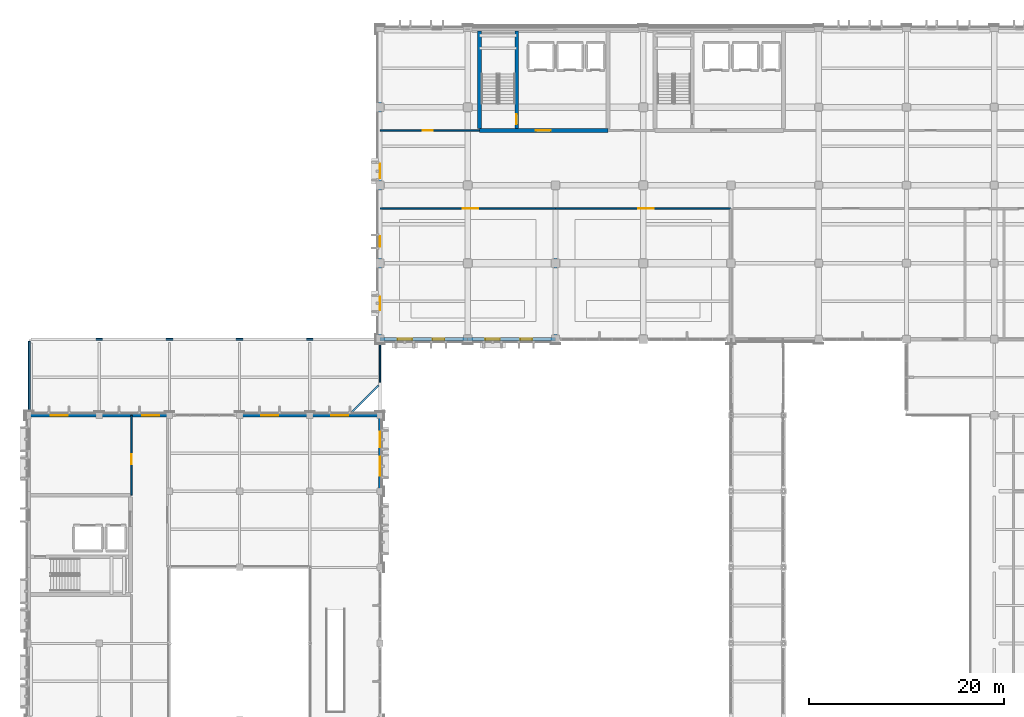
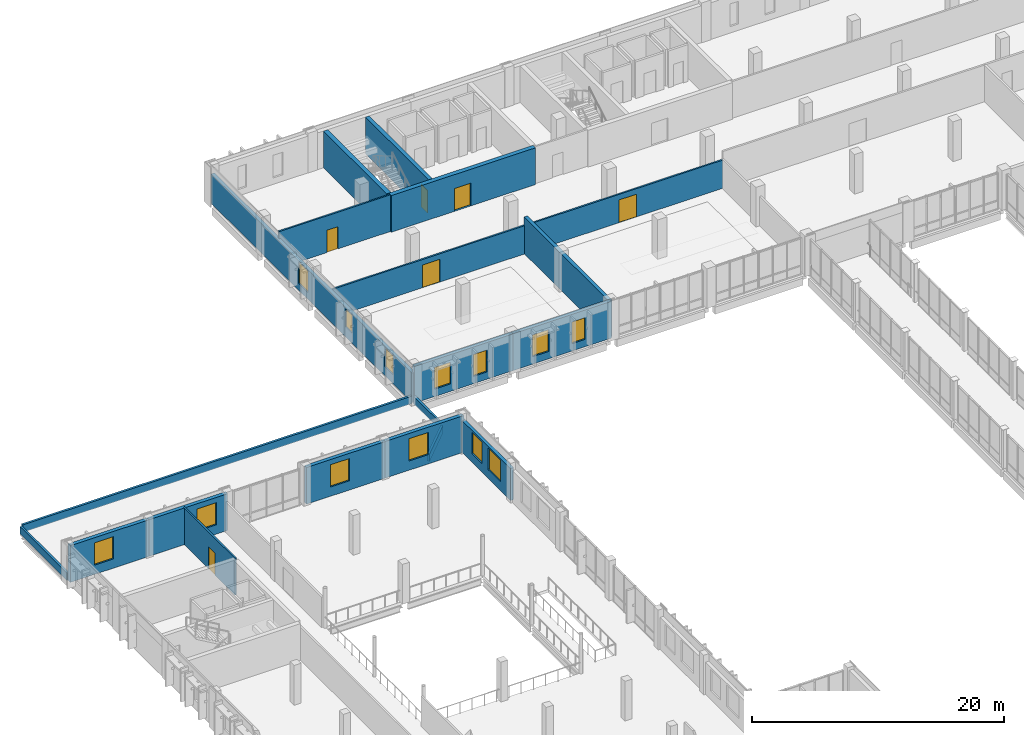
# One storey, part 59 of 85: 20 walls, 13 windows, 6 doors, 19 openings.
"""IFC4 building model written with IfcOpenShell, lengths in metres."""

from ifc_helpers import new_model, si_unit, direction, frame, frame_2d, origin, place, context, subcontext, project, spatial, rectangle, extrude, material, layer, layer_set, type_object, element, fill, save


model = new_model("IFC4")

# Units and contexts
model_context = context("Model", 3, precision=1e-05, world=origin(), true_north=direction((0.0, 1.0)))
body_context = subcontext(model_context, "Body", "Model", "MODEL_VIEW")
ifc_project = project(units=[si_unit("LENGTHUNIT", "METRE"), si_unit("AREAUNIT", "SQUARE_METRE"), si_unit("VOLUMEUNIT", "CUBIC_METRE"), si_unit("PLANEANGLEUNIT", "RADIAN"), si_unit("MASSUNIT", "GRAM", prefix="KILO")], contexts=[model_context])

# Site, building, storey
site_placement = place(None, origin())
site = spatial("IfcSite", under=ifc_project, at=site_placement, CompositionType="ELEMENT")
building_placement = place(site_placement, origin())
building = spatial("IfcBuilding", under=site, at=building_placement, Name="Vervanel Yard Central Library", CompositionType="ELEMENT")
storey_placement = place(building_placement, frame((0.0, 0.0, 5.10009765625)))
storey = spatial("IfcBuildingStorey", under=building, at=storey_placement, Name="L01", CompositionType="ELEMENT", Elevation=5.10009765625)

# Wall, openings, windows
ifc_material_1 = material(Name="Precast concrete C45/55", Category="concrete")
ifc_layer_1 = layer(ifc_material_1, 0.300048828125, Category="concrete")
ifc_layer_set_1 = layer_set([ifc_layer_1], Name="Precast concrete C45/55")
wall_type_1 = type_object("IfcWallType", Name="Bush-Hammered Precast Cladding Wall 300", PredefinedType="SOLIDWALL", material=ifc_layer_set_1)
wall_1_placement = place(storey_placement, frame((36.0, 82.199951171875, 0.0), z_axis=(0.0, 0.0, 1.0), x_axis=(0.0, 1.0, 0.0)))
wall_1 = element("IfcWall", 1, at=wall_1_placement, inside=storey, type_object=wall_type_1, Name="L01 Bush-Hammered Precast Cladding Wall 300 EWALL-L01-0030", PredefinedType="SOLIDWALL", context=body_context, shape_type="SweptSolid", body=[
    extrude(rectangle(XDim=31.800048828125, YDim=0.300048828125, at=frame_2d((15.89990234375, 0.0))), origin(), (0.0, 0.0, 1.0), 2.85498046875),
])
opening_1_placement = place(wall_1_placement, frame((3.0, 0.0, 0.885009765625)))
opening_1 = element("IfcOpeningElement", 2, at=opening_1_placement, cuts=wall_1, Name="Opening WN-17", PredefinedType="OPENING", context=body_context, shape_type="SweptSolid", body=[
    extrude(rectangle(XDim=1.35009765625, YDim=1.85009765625, at=frame_2d((0.675048828125, 0.925048828125))), frame((0.0, 0.159912109375, 0.0), z_axis=(0.0, -1.0, 0.0), x_axis=(1.0, 0.0, 0.0)), (0.0, 0.0, 1.0), 0.320068359375),
])
opening_2_placement = place(wall_1_placement, frame((9.5, 0.0, 0.949951171875)))
opening_2 = element("IfcOpeningElement", 3, at=opening_2_placement, cuts=wall_1, Name="Opening WN-16", PredefinedType="OPENING", context=body_context, shape_type="SweptSolid", body=[
    extrude(rectangle(XDim=1.050048828125, YDim=1.75, at=frame_2d((0.52490234375, 0.875))), frame((0.0, 0.159912109375, 0.0), z_axis=(0.0, -1.0, 0.0), x_axis=(1.0, 0.0, 0.0)), (0.0, 0.0, 1.0), 0.320068359375),
])
opening_3_placement = place(wall_1_placement, frame((16.5, 0.0, 0.635009765625)))
opening_3 = element("IfcOpeningElement", 4, at=opening_3_placement, cuts=wall_1, Name="Opening WN-02", PredefinedType="OPENING", context=body_context, shape_type="SweptSolid", body=[
    extrude(rectangle(XDim=1.5, YDim=2.10009765625, at=frame_2d((0.75, 1.050048828125))), frame((0.0, 0.159912109375, 0.0), z_axis=(0.0, -1.0, 0.0), x_axis=(1.0, 0.0, 0.0)), (0.0, 0.0, 1.0), 0.320068359375),
])
ifc_material_2 = material(Name="Double low-E laminated solar-control glass", Category="glass")
window_type_1 = type_object("IfcWindowType", Name="Archive Office Window 1350x1850", PartitioningType="SINGLE_PANEL", PredefinedType="WINDOW", material=ifc_material_2)
window_1_placement = place(opening_1_placement, origin())
window_1 = element("IfcWindow", 5, at=window_1_placement, inside=storey, type_object=window_type_1, Name="L01 Archive Office Window 1350x1850 40", OverallHeight=1.85009765625, OverallWidth=1.35009765625, PartitioningType="SINGLE_PANEL", PredefinedType="WINDOW", context=body_context, shape_type="SweptSolid", body=[
    extrude(rectangle(XDim=1.35009765625, YDim=1.85009765625, at=frame_2d((0.675048828125, 0.925048828125))), frame((0.0, 0.030029296875, 0.0), z_axis=(0.0, -1.0, 0.0), x_axis=(1.0, 0.0, 0.0)), (0.0, 0.0, 1.0), 0.06005859375),
])
fill(opening_1, window_1)
window_type_2 = type_object("IfcWindowType", Name="Reading Bay Window 1500x2100", PartitioningType="SINGLE_PANEL", PredefinedType="WINDOW", material=ifc_material_2)
window_2_placement = place(opening_3_placement, origin())
window_2 = element("IfcWindow", 6, at=window_2_placement, inside=storey, type_object=window_type_2, Name="L01 Reading Bay Window 1500x2100 42", OverallHeight=2.10009765625, OverallWidth=1.5, PartitioningType="SINGLE_PANEL", PredefinedType="WINDOW", context=body_context, shape_type="SweptSolid", body=[
    extrude(rectangle(XDim=1.5, YDim=2.10009765625, at=frame_2d((0.75, 1.050048828125))), frame((0.0, 0.030029296875, 0.0), z_axis=(0.0, -1.0, 0.0), x_axis=(1.0, 0.0, 0.0)), (0.0, 0.0, 1.0), 0.06005859375),
])
fill(opening_3, window_2)
window_type_3 = type_object("IfcWindowType", Name="Study Carrel Punch Window 1050x1750", PartitioningType="SINGLE_PANEL", PredefinedType="WINDOW", material=ifc_material_2)
window_3_placement = place(opening_2_placement, origin())
window_3 = element("IfcWindow", 7, at=window_3_placement, inside=storey, type_object=window_type_3, Name="L01 Study Carrel Punch Window 1050x1750 41", OverallHeight=1.75, OverallWidth=1.050048828125, PartitioningType="SINGLE_PANEL", PredefinedType="WINDOW", context=body_context, shape_type="SweptSolid", body=[
    extrude(rectangle(XDim=1.050048828125, YDim=1.75, at=frame_2d((0.52490234375, 0.875))), frame((0.0, 0.030029296875, 0.0), z_axis=(0.0, -1.0, 0.0), x_axis=(1.0, 0.0, 0.0)), (0.0, 0.0, 1.0), 0.06005859375),
])
fill(opening_2, window_3)

wall_2_placement = place(storey_placement, frame((36.0, 66.60009765625, 0.0), z_axis=(0.0, 0.0, 1.0), x_axis=(0.0, 1.0, 0.0)))
wall_2 = element("IfcWall", 8, at=wall_2_placement, inside=storey, type_object=wall_type_1, Name="L01 Bush-Hammered Precast Cladding Wall 300 EWALL-L01-0107", PredefinedType="SOLIDWALL", context=body_context, shape_type="SweptSolid", body=[
    extrude(rectangle(XDim=7.7998046875, YDim=0.300048828125, at=frame_2d((3.89990234375, 0.0))), origin(), (0.0, 0.0, 1.0), 3.08740234375),
])
opening_4_placement = place(wall_2_placement, frame((1.60009765625, 0.0, 0.85009765625)))
opening_4 = element("IfcOpeningElement", 9, at=opening_4_placement, cuts=wall_2, Name="Opening WN-24", PredefinedType="OPENING", context=body_context, shape_type="SweptSolid", body=[
    extrude(rectangle(XDim=1.949951171875, YDim=2.10009765625, at=frame_2d((0.97509765625, 1.050048828125))), frame((0.0, 0.159912109375, 0.0), z_axis=(0.0, -1.0, 0.0), x_axis=(1.0, 0.0, 0.0)), (0.0, 0.0, 1.0), 0.320068359375),
])
opening_5_placement = place(wall_2_placement, frame((4.5, 0.0, 0.85009765625)))
opening_5 = element("IfcOpeningElement", 10, at=opening_5_placement, cuts=wall_2, Name="Opening WN-20", PredefinedType="OPENING", context=body_context, shape_type="SweptSolid", body=[
    extrude(rectangle(XDim=1.60009765625, YDim=2.050048828125, at=frame_2d((0.800048828125, 1.02490234375))), frame((0.0, 0.159912109375, 0.0), z_axis=(0.0, -1.0, 0.0), x_axis=(1.0, 0.0, 0.0)), (0.0, 0.0, 1.0), 0.320068359375),
])
window_type_4 = type_object("IfcWindowType", Name="Atrium Study Window 1950x2100", PartitioningType="SINGLE_PANEL", PredefinedType="WINDOW", material=ifc_material_2)
window_4_placement = place(opening_4_placement, origin())
window_4 = element("IfcWindow", 11, at=window_4_placement, inside=storey, type_object=window_type_4, Name="L01 Atrium Study Window 1950x2100 141", OverallHeight=2.10009765625, OverallWidth=1.949951171875, PartitioningType="SINGLE_PANEL", PredefinedType="WINDOW", context=body_context, shape_type="SweptSolid", body=[
    extrude(rectangle(XDim=1.949951171875, YDim=2.10009765625, at=frame_2d((0.97509765625, 1.050048828125))), frame((0.0, 0.030029296875, 0.0), z_axis=(0.0, -1.0, 0.0), x_axis=(1.0, 0.0, 0.0)), (0.0, 0.0, 1.0), 0.06005859375),
])
fill(opening_4, window_4)
window_type_5 = type_object("IfcWindowType", Name="Reading Courtyard Window 1600x2050", PartitioningType="SINGLE_PANEL", PredefinedType="WINDOW", material=ifc_material_2)
window_5_placement = place(opening_5_placement, origin())
window_5 = element("IfcWindow", 12, at=window_5_placement, inside=storey, type_object=window_type_5, Name="L01 Reading Courtyard Window 1600x2050 142", OverallHeight=2.050048828125, OverallWidth=1.60009765625, PartitioningType="SINGLE_PANEL", PredefinedType="WINDOW", context=body_context, shape_type="SweptSolid", body=[
    extrude(rectangle(XDim=1.60009765625, YDim=2.050048828125, at=frame_2d((0.800048828125, 1.02490234375))), frame((0.0, 0.030029296875, 0.0), z_axis=(0.0, -1.0, 0.0), x_axis=(1.0, 0.0, 0.0)), (0.0, 0.0, 1.0), 0.06005859375),
])
fill(opening_5, window_5)

# Wall, opening, door
ifc_material_3 = material(Name="Concrete C45/55", Category="concrete")
ifc_layer_2 = layer(ifc_material_3, 0.39990234375, Category="concrete")
ifc_layer_set_2 = layer_set([ifc_layer_2], Name="Concrete C45/55")
wall_type_2 = type_object("IfcWallType", Name="Core Primary Shear Wall 400", PredefinedType="SHEAR", material=ifc_layer_set_2)
wall_3_placement = place(storey_placement, frame((46.199951171875, 103.60009765625, 0.0), z_axis=(0.0, 0.0, 1.0), x_axis=(1.0, 0.0, 0.0)))
wall_3 = element("IfcWall", 13, at=wall_3_placement, inside=storey, type_object=wall_type_2, Name="L01 CORE-A Shear Wall S", PredefinedType="SHEAR", context=body_context, shape_type="SweptSolid", body=[
    extrude(rectangle(XDim=13.199951171875, YDim=0.39990234375, at=frame_2d((6.60009765625, 0.0))), origin(), (0.0, 0.0, 1.0), 3.5498046875),
])
opening_6_placement = place(wall_3_placement, frame((5.800048828125, 0.0, 0.0)))
opening_6 = element("IfcOpeningElement", 14, at=opening_6_placement, cuts=wall_3, Name="Opening DR-F02", PredefinedType="OPENING", context=body_context, shape_type="SweptSolid", body=[
    extrude(rectangle(XDim=1.5, YDim=2.199951171875, at=frame_2d((0.75, 1.10009765625))), frame((0.0, 0.2099609375, 0.0), z_axis=(0.0, -1.0, 0.0), x_axis=(1.0, 0.0, 0.0)), (0.0, 0.0, 1.0), 0.419921875),
])
ifc_material_4 = material(Name="Galvanized painted steelwork ASTM A500 Grade C", Category="steel")
door_type_1 = type_object("IfcDoorType", Name="Fire-Rated Lobby Door 1500x2200", OperationType="NOTDEFINED", PredefinedType="DOOR", material=ifc_material_4)
door_1_placement = place(opening_6_placement, origin())
door_1 = element("IfcDoor", 15, at=door_1_placement, inside=storey, type_object=door_type_1, Name="L01 CORE-A Lobby Fire Door", OperationType="DOUBLE_DOOR_SINGLE_SWING", OverallHeight=2.199951171875, OverallWidth=1.5, PredefinedType="DOOR", context=body_context, shape_type="SweptSolid", body=[
    extrude(rectangle(XDim=1.5, YDim=2.199951171875, at=frame_2d((0.75, 1.10009765625))), frame((0.0, 0.02490234375, 0.0), z_axis=(0.0, -1.0, 0.0), x_axis=(1.0, 0.0, 0.0)), (0.0, 0.0, 1.0), 0.050048828125),
])
fill(opening_6, door_1)

# Wall
wall_4_placement = place(storey_placement, frame((46.199951171875, 103.800048828125, 0.0), z_axis=(0.0, 0.0, 1.0), x_axis=(0.0, 1.0, 0.0)))
element("IfcWall", 16, at=wall_4_placement, inside=storey, type_object=wall_type_2, Name="L01 CORE-A Shear Wall W", PredefinedType="SHEAR", context=body_context, shape_type="SweptSolid", body=[
    extrude(rectangle(XDim=10.010009765625, YDim=0.39990234375, at=frame_2d((5.0048828125, 0.0))), origin(), (0.0, 0.0, 1.0), 3.5498046875),
])

# Wall, opening, door
ifc_layer_3 = layer(ifc_material_3, 0.35009765625, Category="concrete")
ifc_layer_set_3 = layer_set([ifc_layer_3], Name="Concrete C45/55")
wall_type_3 = type_object("IfcWallType", Name="Core Secondary Shear Wall 350", PredefinedType="SHEAR", material=ifc_layer_set_3)
wall_5_placement = place(storey_placement, frame((50.02490234375, 103.800048828125, 0.0), z_axis=(0.0, 0.0, 1.0), x_axis=(0.0, 1.0, 0.0)))
wall_5 = element("IfcWall", 17, at=wall_5_placement, inside=storey, type_object=wall_type_3, Name="L01 CORE-A Stair Shaft Wall", PredefinedType="SHEAR", context=body_context, shape_type="SweptSolid", body=[
    extrude(rectangle(XDim=10.010009765625, YDim=0.35009765625, at=frame_2d((5.0048828125, 0.0))), origin(), (0.0, 0.0, 1.0), 3.5498046875),
])
opening_7_placement = place(wall_5_placement, frame((0.449951171875, 0.0, 0.0)))
opening_7 = element("IfcOpeningElement", 18, at=opening_7_placement, cuts=wall_5, Name="Opening DR-F01", PredefinedType="OPENING", context=body_context, shape_type="SweptSolid", body=[
    extrude(rectangle(XDim=1.050048828125, YDim=2.199951171875, at=frame_2d((0.52490234375, 1.10009765625))), frame((0.0, 0.18505859375, 0.0), z_axis=(0.0, -1.0, 0.0), x_axis=(1.0, 0.0, 0.0)), (0.0, 0.0, 1.0), 0.3701171875),
])
door_type_2 = type_object("IfcDoorType", Name="Fire-Rated Stair Exit Door 1050x2200", OperationType="NOTDEFINED", PredefinedType="DOOR", material=ifc_material_4)
door_2_placement = place(opening_7_placement, origin())
door_2 = element("IfcDoor", 19, at=door_2_placement, inside=storey, type_object=door_type_2, Name="L01 CORE-A Stair Door", OperationType="SINGLE_SWING_RIGHT", OverallHeight=2.199951171875, OverallWidth=1.050048828125, PredefinedType="DOOR", context=body_context, shape_type="SweptSolid", body=[
    extrude(rectangle(XDim=1.050048828125, YDim=2.199951171875, at=frame_2d((0.52490234375, 1.10009765625))), frame((0.0, 0.02490234375, 0.0), z_axis=(0.0, -1.0, 0.0), x_axis=(1.0, 0.0, 0.0)), (0.0, 0.0, 1.0), 0.050048828125),
])
fill(opening_7, door_2)

# Wall, openings, windows
ifc_layer_4 = layer(ifc_material_3, 0.340087890625, Category="concrete")
ifc_layer_set_4 = layer_set([ifc_layer_4], Name="Concrete C45/55")
wall_type_4 = type_object("IfcWallType", Name="Exterior Bearing Concrete Frame Wall 340", PredefinedType="SOLIDWALL", material=ifc_layer_set_4)
wall_6_placement = place(storey_placement, frame((36.0, 82.199951171875, 0.0), z_axis=(0.0, 0.0, 1.0), x_axis=(1.0, 0.0, 0.0)))
wall_6 = element("IfcWall", 20, at=wall_6_placement, inside=storey, type_object=wall_type_4, Name="L01 Exterior Bearing Concrete Frame Wall 340 EWALL-L01-0027", PredefinedType="SOLIDWALL", context=body_context, shape_type="SweptSolid", body=[
    extrude(rectangle(XDim=9.0, YDim=0.340087890625, at=frame_2d((4.5, 0.0))), origin(), (0.0, 0.0, 1.0), 3.5498046875),
])
opening_8_placement = place(wall_6_placement, frame((1.800048828125, 0.0, 0.715087890625)))
opening_8 = element("IfcOpeningElement", 21, at=opening_8_placement, cuts=wall_6, Name="Opening WN-02", PredefinedType="OPENING", context=body_context, shape_type="SweptSolid", body=[
    extrude(rectangle(XDim=1.5, YDim=2.10009765625, at=frame_2d((0.75, 1.050048828125))), frame((0.0, 0.179931640625, 0.0), z_axis=(0.0, -1.0, 0.0), x_axis=(1.0, 0.0, 0.0)), (0.0, 0.0, 1.0), 0.360107421875),
])
opening_9_placement = place(wall_6_placement, frame((5.39990234375, 0.0, 0.715087890625)))
opening_9 = element("IfcOpeningElement", 22, at=opening_9_placement, cuts=wall_6, Name="Opening WN-01", PredefinedType="OPENING", context=body_context, shape_type="SweptSolid", body=[
    extrude(rectangle(XDim=1.199951171875, YDim=2.10009765625, at=frame_2d((0.60009765625, 1.050048828125))), frame((0.0, 0.179931640625, 0.0), z_axis=(0.0, -1.0, 0.0), x_axis=(1.0, 0.0, 0.0)), (0.0, 0.0, 1.0), 0.360107421875),
])
window_6_placement = place(opening_8_placement, origin())
window_6 = element("IfcWindow", 23, at=window_6_placement, inside=storey, type_object=window_type_2, Name="L01 Reading Bay Window 1500x2100 36", OverallHeight=2.10009765625, OverallWidth=1.5, PartitioningType="SINGLE_PANEL", PredefinedType="WINDOW", context=body_context, shape_type="SweptSolid", body=[
    extrude(rectangle(XDim=1.5, YDim=2.10009765625, at=frame_2d((0.75, 1.050048828125))), frame((0.0, 0.030029296875, 0.0), z_axis=(0.0, -1.0, 0.0), x_axis=(1.0, 0.0, 0.0)), (0.0, 0.0, 1.0), 0.06005859375),
])
fill(opening_8, window_6)
window_type_6 = type_object("IfcWindowType", Name="Reading Slot Window 1200x2100", PartitioningType="SINGLE_PANEL", PredefinedType="WINDOW", material=ifc_material_2)
window_7_placement = place(opening_9_placement, origin())
window_7 = element("IfcWindow", 24, at=window_7_placement, inside=storey, type_object=window_type_6, Name="L01 Reading Slot Window 1200x2100 37", OverallHeight=2.10009765625, OverallWidth=1.199951171875, PartitioningType="SINGLE_PANEL", PredefinedType="WINDOW", context=body_context, shape_type="SweptSolid", body=[
    extrude(rectangle(XDim=1.199951171875, YDim=2.10009765625, at=frame_2d((0.60009765625, 1.050048828125))), frame((0.0, 0.030029296875, 0.0), z_axis=(0.0, -1.0, 0.0), x_axis=(1.0, 0.0, 0.0)), (0.0, 0.0, 1.0), 0.06005859375),
])
fill(opening_9, window_7)

wall_7_placement = place(storey_placement, frame((45.0, 82.199951171875, 0.0), z_axis=(0.0, 0.0, 1.0), x_axis=(1.0, 0.0, 0.0)))
wall_7 = element("IfcWall", 25, at=wall_7_placement, inside=storey, type_object=wall_type_4, Name="L01 Exterior Bearing Concrete Frame Wall 340 EWALL-L01-0028", PredefinedType="SOLIDWALL", context=body_context, shape_type="SweptSolid", body=[
    extrude(rectangle(XDim=9.0, YDim=0.340087890625, at=frame_2d((4.5, 0.0))), origin(), (0.0, 0.0, 1.0), 3.5498046875),
])
opening_10_placement = place(wall_7_placement, frame((1.800048828125, 0.0, 0.715087890625)))
opening_10 = element("IfcOpeningElement", 26, at=opening_10_placement, cuts=wall_7, Name="Opening WN-02", PredefinedType="OPENING", context=body_context, shape_type="SweptSolid", body=[
    extrude(rectangle(XDim=1.5, YDim=2.10009765625, at=frame_2d((0.75, 1.050048828125))), frame((0.0, 0.179931640625, 0.0), z_axis=(0.0, -1.0, 0.0), x_axis=(1.0, 0.0, 0.0)), (0.0, 0.0, 1.0), 0.360107421875),
])
opening_11_placement = place(wall_7_placement, frame((5.39990234375, 0.0, 0.715087890625)))
opening_11 = element("IfcOpeningElement", 27, at=opening_11_placement, cuts=wall_7, Name="Opening WN-01", PredefinedType="OPENING", context=body_context, shape_type="SweptSolid", body=[
    extrude(rectangle(XDim=1.199951171875, YDim=2.10009765625, at=frame_2d((0.60009765625, 1.050048828125))), frame((0.0, 0.179931640625, 0.0), z_axis=(0.0, -1.0, 0.0), x_axis=(1.0, 0.0, 0.0)), (0.0, 0.0, 1.0), 0.360107421875),
])
window_8_placement = place(opening_10_placement, origin())
window_8 = element("IfcWindow", 28, at=window_8_placement, inside=storey, type_object=window_type_2, Name="L01 Reading Bay Window 1500x2100 38", OverallHeight=2.10009765625, OverallWidth=1.5, PartitioningType="SINGLE_PANEL", PredefinedType="WINDOW", context=body_context, shape_type="SweptSolid", body=[
    extrude(rectangle(XDim=1.5, YDim=2.10009765625, at=frame_2d((0.75, 1.050048828125))), frame((0.0, 0.030029296875, 0.0), z_axis=(0.0, -1.0, 0.0), x_axis=(1.0, 0.0, 0.0)), (0.0, 0.0, 1.0), 0.06005859375),
])
fill(opening_10, window_8)
window_9_placement = place(opening_11_placement, origin())
window_9 = element("IfcWindow", 29, at=window_9_placement, inside=storey, type_object=window_type_6, Name="L01 Reading Slot Window 1200x2100 39", OverallHeight=2.10009765625, OverallWidth=1.199951171875, PartitioningType="SINGLE_PANEL", PredefinedType="WINDOW", context=body_context, shape_type="SweptSolid", body=[
    extrude(rectangle(XDim=1.199951171875, YDim=2.10009765625, at=frame_2d((0.60009765625, 1.050048828125))), frame((0.0, 0.030029296875, 0.0), z_axis=(0.0, -1.0, 0.0), x_axis=(1.0, 0.0, 0.0)), (0.0, 0.0, 1.0), 0.06005859375),
])
fill(opening_11, window_9)

# Wall, opening, window
wall_8_placement = place(storey_placement, frame((0.0, 74.39990234375, 0.0), z_axis=(0.0, 0.0, 1.0), x_axis=(1.0, 0.0, 0.0)))
wall_8 = element("IfcWall", 30, at=wall_8_placement, inside=storey, type_object=wall_type_4, Name="L01 Exterior Bearing Concrete Frame Wall 340 EWALL-L01-0108", PredefinedType="SOLIDWALL", context=body_context, shape_type="SweptSolid", body=[
    extrude(rectangle(XDim=7.199951171875, YDim=0.340087890625, at=frame_2d((3.60009765625, 0.0))), origin(), (0.0, 0.0, 1.0), 3.5498046875),
])
opening_12_placement = place(wall_8_placement, frame((2.199951171875, 0.0, 0.89794921875)))
opening_12 = element("IfcOpeningElement", 31, at=opening_12_placement, cuts=wall_8, Name="Opening WN-23", PredefinedType="OPENING", context=body_context, shape_type="SweptSolid", body=[
    extrude(rectangle(XDim=1.75, YDim=2.14990234375, at=frame_2d((0.875, 1.074951171875))), frame((0.0, 0.179931640625, 0.0), z_axis=(0.0, -1.0, 0.0), x_axis=(1.0, 0.0, 0.0)), (0.0, 0.0, 1.0), 0.360107421875),
])
window_type_7 = type_object("IfcWindowType", Name="Atrium Northlight Window 1750x2150", PartitioningType="SINGLE_PANEL", PredefinedType="WINDOW", material=ifc_material_2)
window_10_placement = place(opening_12_placement, origin())
window_10 = element("IfcWindow", 32, at=window_10_placement, inside=storey, type_object=window_type_7, Name="L01 Atrium Northlight Window 1750x2150 143", OverallHeight=2.14990234375, OverallWidth=1.75, PartitioningType="SINGLE_PANEL", PredefinedType="WINDOW", context=body_context, shape_type="SweptSolid", body=[
    extrude(rectangle(XDim=1.75, YDim=2.14990234375, at=frame_2d((0.875, 1.074951171875))), frame((0.0, 0.030029296875, 0.0), z_axis=(0.0, -1.0, 0.0), x_axis=(1.0, 0.0, 0.0)), (0.0, 0.0, 1.0), 0.06005859375),
])
fill(opening_12, window_10)

wall_9_placement = place(storey_placement, frame((7.199951171875, 74.39990234375, 0.0), z_axis=(0.0, 0.0, 1.0), x_axis=(1.0, 0.0, 0.0)))
wall_9 = element("IfcWall", 33, at=wall_9_placement, inside=storey, type_object=wall_type_4, Name="L01 Exterior Bearing Concrete Frame Wall 340 EWALL-L01-0109", PredefinedType="SOLIDWALL", context=body_context, shape_type="SweptSolid", body=[
    extrude(rectangle(XDim=7.199951171875, YDim=0.340087890625, at=frame_2d((3.60009765625, 0.0))), origin(), (0.0, 0.0, 1.0), 3.5498046875),
])
opening_13_placement = place(wall_9_placement, frame((4.39990234375, 0.0, 0.89794921875)))
opening_13 = element("IfcOpeningElement", 34, at=opening_13_placement, cuts=wall_9, Name="Opening WN-23", PredefinedType="OPENING", context=body_context, shape_type="SweptSolid", body=[
    extrude(rectangle(XDim=1.75, YDim=2.14990234375, at=frame_2d((0.875, 1.074951171875))), frame((0.0, 0.179931640625, 0.0), z_axis=(0.0, -1.0, 0.0), x_axis=(1.0, 0.0, 0.0)), (0.0, 0.0, 1.0), 0.360107421875),
])
window_11_placement = place(opening_13_placement, origin())
window_11 = element("IfcWindow", 35, at=window_11_placement, inside=storey, type_object=window_type_7, Name="L01 Atrium Northlight Window 1750x2150 144", OverallHeight=2.14990234375, OverallWidth=1.75, PartitioningType="SINGLE_PANEL", PredefinedType="WINDOW", context=body_context, shape_type="SweptSolid", body=[
    extrude(rectangle(XDim=1.75, YDim=2.14990234375, at=frame_2d((0.875, 1.074951171875))), frame((0.0, 0.030029296875, 0.0), z_axis=(0.0, -1.0, 0.0), x_axis=(1.0, 0.0, 0.0)), (0.0, 0.0, 1.0), 0.06005859375),
])
fill(opening_13, window_11)

wall_10_placement = place(storey_placement, frame((21.60009765625, 74.39990234375, 0.0), z_axis=(0.0, 0.0, 1.0), x_axis=(1.0, 0.0, 0.0)))
wall_10 = element("IfcWall", 36, at=wall_10_placement, inside=storey, type_object=wall_type_4, Name="L01 Exterior Bearing Concrete Frame Wall 340 EWALL-L01-0110", PredefinedType="SOLIDWALL", context=body_context, shape_type="SweptSolid", body=[
    extrude(rectangle(XDim=7.199951171875, YDim=0.340087890625, at=frame_2d((3.60009765625, 0.0))), origin(), (0.0, 0.0, 1.0), 3.5498046875),
])
opening_14_placement = place(wall_10_placement, frame((2.199951171875, 0.0, 0.89794921875)))
opening_14 = element("IfcOpeningElement", 37, at=opening_14_placement, cuts=wall_10, Name="Opening WN-23", PredefinedType="OPENING", context=body_context, shape_type="SweptSolid", body=[
    extrude(rectangle(XDim=1.75, YDim=2.14990234375, at=frame_2d((0.875, 1.074951171875))), frame((0.0, 0.179931640625, 0.0), z_axis=(0.0, -1.0, 0.0), x_axis=(1.0, 0.0, 0.0)), (0.0, 0.0, 1.0), 0.360107421875),
])
window_12_placement = place(opening_14_placement, origin())
window_12 = element("IfcWindow", 38, at=window_12_placement, inside=storey, type_object=window_type_7, Name="L01 Atrium Northlight Window 1750x2150 145", OverallHeight=2.14990234375, OverallWidth=1.75, PartitioningType="SINGLE_PANEL", PredefinedType="WINDOW", context=body_context, shape_type="SweptSolid", body=[
    extrude(rectangle(XDim=1.75, YDim=2.14990234375, at=frame_2d((0.875, 1.074951171875))), frame((0.0, 0.030029296875, 0.0), z_axis=(0.0, -1.0, 0.0), x_axis=(1.0, 0.0, 0.0)), (0.0, 0.0, 1.0), 0.06005859375),
])
fill(opening_14, window_12)

wall_11_placement = place(storey_placement, frame((28.800048828125, 74.39990234375, 0.0), z_axis=(0.0, 0.0, 1.0), x_axis=(1.0, 0.0, 0.0)))
wall_11 = element("IfcWall", 39, at=wall_11_placement, inside=storey, type_object=wall_type_4, Name="L01 Exterior Bearing Concrete Frame Wall 340 EWALL-L01-0111", PredefinedType="SOLIDWALL", context=body_context, shape_type="SweptSolid", body=[
    extrude(rectangle(XDim=7.199951171875, YDim=0.340087890625, at=frame_2d((3.60009765625, 0.0))), origin(), (0.0, 0.0, 1.0), 3.5498046875),
])
opening_15_placement = place(wall_11_placement, frame((2.199951171875, 0.0, 0.89794921875)))
opening_15 = element("IfcOpeningElement", 40, at=opening_15_placement, cuts=wall_11, Name="Opening WN-23", PredefinedType="OPENING", context=body_context, shape_type="SweptSolid", body=[
    extrude(rectangle(XDim=1.75, YDim=2.14990234375, at=frame_2d((0.875, 1.074951171875))), frame((0.0, 0.179931640625, 0.0), z_axis=(0.0, -1.0, 0.0), x_axis=(1.0, 0.0, 0.0)), (0.0, 0.0, 1.0), 0.360107421875),
])
window_13_placement = place(opening_15_placement, origin())
window_13 = element("IfcWindow", 41, at=window_13_placement, inside=storey, type_object=window_type_7, Name="L01 Atrium Northlight Window 1750x2150 146", OverallHeight=2.14990234375, OverallWidth=1.75, PartitioningType="SINGLE_PANEL", PredefinedType="WINDOW", context=body_context, shape_type="SweptSolid", body=[
    extrude(rectangle(XDim=1.75, YDim=2.14990234375, at=frame_2d((0.875, 1.074951171875))), frame((0.0, 0.030029296875, 0.0), z_axis=(0.0, -1.0, 0.0), x_axis=(1.0, 0.0, 0.0)), (0.0, 0.0, 1.0), 0.06005859375),
])
fill(opening_15, window_13)

# Wall, opening, door
ifc_material_5 = material(Name="Fire-rated gypsum board on steel studs", Category="steel")
ifc_layer_5 = layer(ifc_material_5, 0.14990234375, Category="steel")
ifc_layer_set_5 = layer_set([ifc_layer_5], Name="Fire-rated gypsum board on steel studs")
wall_type_5 = type_object("IfcWallType", Name="Interior Partition 150", PredefinedType="PARTITIONING", material=ifc_layer_set_5)
wall_12_placement = place(storey_placement, frame((36.0, 95.60009765625, 0.0), z_axis=(0.0, 0.0, 1.0), x_axis=(1.0, 0.0, 0.0)))
wall_12 = element("IfcWall", 42, at=wall_12_placement, inside=storey, type_object=wall_type_5, Name="L01 Interior Partition 150 IPART-L01-0045", PredefinedType="PARTITIONING", context=body_context, shape_type="SweptSolid", body=[
    extrude(rectangle(XDim=18.0, YDim=0.14990234375, at=frame_2d((9.0, 0.0))), origin(), (0.0, 0.0, 1.0), 2.73486328125),
])
opening_16_placement = place(wall_12_placement, frame((8.5, 0.0, 0.0)))
opening_16 = element("IfcOpeningElement", 43, at=opening_16_placement, cuts=wall_12, Name="Opening DR-04", PredefinedType="OPENING", context=body_context, shape_type="SweptSolid", body=[
    extrude(rectangle(XDim=1.60009765625, YDim=2.199951171875, at=frame_2d((0.800048828125, 1.10009765625))), frame((0.0, 0.0849609375, 0.0), z_axis=(0.0, -1.0, 0.0), x_axis=(1.0, 0.0, 0.0)), (0.0, 0.0, 1.0), 0.169921875),
])
ifc_material_6 = material(Name="Solid white oak acoustic joinery", Category="wood")
door_type_3 = type_object("IfcDoorType", Name="Interior Double Reading Door 1600x2200", OperationType="NOTDEFINED", PredefinedType="DOOR", material=ifc_material_6)
door_3_placement = place(opening_16_placement, origin())
door_3 = element("IfcDoor", 44, at=door_3_placement, inside=storey, type_object=door_type_3, Name="L01 Interior Double Reading Door 1600x2200 IDOOR-L01-0036", OperationType="DOUBLE_DOOR_SINGLE_SWING", OverallHeight=2.199951171875, OverallWidth=1.60009765625, PredefinedType="DOOR", context=body_context, shape_type="SweptSolid", body=[
    extrude(rectangle(XDim=1.60009765625, YDim=2.199951171875, at=frame_2d((0.800048828125, 1.10009765625))), frame((0.0, 0.02490234375, 0.0), z_axis=(0.0, -1.0, 0.0), x_axis=(1.0, 0.0, 0.0)), (0.0, 0.0, 1.0), 0.050048828125),
])
fill(opening_16, door_3)

wall_13_placement = place(storey_placement, frame((54.0, 95.60009765625, 0.0), z_axis=(0.0, 0.0, 1.0), x_axis=(1.0, 0.0, 0.0)))
wall_13 = element("IfcWall", 45, at=wall_13_placement, inside=storey, type_object=wall_type_5, Name="L01 Interior Partition 150 IPART-L01-0046", PredefinedType="PARTITIONING", context=body_context, shape_type="SweptSolid", body=[
    extrude(rectangle(XDim=18.0, YDim=0.14990234375, at=frame_2d((9.0, 0.0))), origin(), (0.0, 0.0, 1.0), 2.73486328125),
])
opening_17_placement = place(wall_13_placement, frame((8.5, 0.0, 0.0)))
opening_17 = element("IfcOpeningElement", 46, at=opening_17_placement, cuts=wall_13, Name="Opening DR-04", PredefinedType="OPENING", context=body_context, shape_type="SweptSolid", body=[
    extrude(rectangle(XDim=1.60009765625, YDim=2.199951171875, at=frame_2d((0.800048828125, 1.10009765625))), frame((0.0, 0.0849609375, 0.0), z_axis=(0.0, -1.0, 0.0), x_axis=(1.0, 0.0, 0.0)), (0.0, 0.0, 1.0), 0.169921875),
])
door_4_placement = place(opening_17_placement, origin())
door_4 = element("IfcDoor", 47, at=door_4_placement, inside=storey, type_object=door_type_3, Name="L01 Interior Double Reading Door 1600x2200 IDOOR-L01-0037", OperationType="DOUBLE_DOOR_SINGLE_SWING", OverallHeight=2.199951171875, OverallWidth=1.60009765625, PredefinedType="DOOR", context=body_context, shape_type="SweptSolid", body=[
    extrude(rectangle(XDim=1.60009765625, YDim=2.199951171875, at=frame_2d((0.800048828125, 1.10009765625))), frame((0.0, 0.02490234375, 0.0), z_axis=(0.0, -1.0, 0.0), x_axis=(1.0, 0.0, 0.0)), (0.0, 0.0, 1.0), 0.050048828125),
])
fill(opening_17, door_4)

wall_14_placement = place(storey_placement, frame((36.0, 103.60009765625, 0.0), z_axis=(0.0, 0.0, 1.0), x_axis=(1.0, 0.0, 0.0)))
wall_14 = element("IfcWall", 48, at=wall_14_placement, inside=storey, type_object=wall_type_5, Name="L01 Interior Partition 150 IPART-L01-0056", PredefinedType="PARTITIONING", context=body_context, shape_type="SweptSolid", body=[
    extrude(rectangle(XDim=10.199951171875, YDim=0.14990234375, at=frame_2d((5.10009765625, 0.0))), origin(), (0.0, 0.0, 1.0), 3.5498046875),
])
opening_18_placement = place(wall_14_placement, frame((4.39990234375, 0.0, 0.0)))
opening_18 = element("IfcOpeningElement", 49, at=opening_18_placement, cuts=wall_14, Name="Opening DR-01", PredefinedType="OPENING", context=body_context, shape_type="SweptSolid", body=[
    extrude(rectangle(XDim=1.0, YDim=2.14990234375, at=frame_2d((0.5, 1.074951171875))), frame((0.0, 0.0849609375, 0.0), z_axis=(0.0, -1.0, 0.0), x_axis=(1.0, 0.0, 0.0)), (0.0, 0.0, 1.0), 0.169921875),
])
door_type_4 = type_object("IfcDoorType", Name="Interior Single Door 1000x2150", OperationType="NOTDEFINED", PredefinedType="DOOR", material=ifc_material_6)
door_5_placement = place(opening_18_placement, origin())
door_5 = element("IfcDoor", 50, at=door_5_placement, inside=storey, type_object=door_type_4, Name="L01 Interior Single Door 1000x2150 IDOOR-L01-0042", OperationType="SINGLE_SWING_RIGHT", OverallHeight=2.14990234375, OverallWidth=1.0, PredefinedType="DOOR", context=body_context, shape_type="SweptSolid", body=[
    extrude(rectangle(XDim=1.0, YDim=2.14990234375, at=frame_2d((0.5, 1.074951171875))), frame((0.0, 0.02490234375, 0.0), z_axis=(0.0, -1.0, 0.0), x_axis=(1.0, 0.0, 0.0)), (0.0, 0.0, 1.0), 0.050048828125),
])
fill(opening_18, door_5)

wall_15_placement = place(storey_placement, frame((10.5, 66.199951171875, 0.0), z_axis=(0.0, 0.0, 1.0), x_axis=(0.0, 1.0, 0.0)))
wall_15 = element("IfcWall", 51, at=wall_15_placement, inside=storey, type_object=wall_type_5, Name="L01 Interior Partition 150 IPART-L01-0062", PredefinedType="PARTITIONING", context=body_context, shape_type="SweptSolid", body=[
    extrude(rectangle(XDim=8.199951171875, YDim=0.14990234375, at=frame_2d((4.10009765625, 0.0))), origin(), (0.0, 0.0, 1.0), 3.5498046875),
])
opening_19_placement = place(wall_15_placement, frame((3.199951171875, 0.0, 0.0)))
opening_19 = element("IfcOpeningElement", 52, at=opening_19_placement, cuts=wall_15, Name="Opening DR-01", PredefinedType="OPENING", context=body_context, shape_type="SweptSolid", body=[
    extrude(rectangle(XDim=1.0, YDim=2.14990234375, at=frame_2d((0.5, 1.074951171875))), frame((0.0, 0.0849609375, 0.0), z_axis=(0.0, -1.0, 0.0), x_axis=(1.0, 0.0, 0.0)), (0.0, 0.0, 1.0), 0.169921875),
])
door_6_placement = place(opening_19_placement, origin())
door_6 = element("IfcDoor", 53, at=door_6_placement, inside=storey, type_object=door_type_4, Name="L01 Interior Single Door 1000x2150 IDOOR-L01-0048", OperationType="SINGLE_SWING_RIGHT", OverallHeight=2.14990234375, OverallWidth=1.0, PredefinedType="DOOR", context=body_context, shape_type="SweptSolid", body=[
    extrude(rectangle(XDim=1.0, YDim=2.14990234375, at=frame_2d((0.5, 1.074951171875))), frame((0.0, 0.02490234375, 0.0), z_axis=(0.0, -1.0, 0.0), x_axis=(1.0, 0.0, 0.0)), (0.0, 0.0, 1.0), 0.050048828125),
])
fill(opening_19, door_6)

# Walls
ifc_material_7 = material(Name="Concrete C40/50", Category="concrete")
ifc_layer_6 = layer(ifc_material_7, 0.199951171875, Category="concrete")
ifc_layer_set_6 = layer_set([ifc_layer_6], Name="Concrete C40/50")
wall_type_6 = type_object("IfcWallType", Name="Setback Roof Concrete Parapet 200", PredefinedType="PARAPET", material=ifc_layer_set_6)
wall_16_placement = place(storey_placement, frame((32.94140625, 74.54150390625, 0.0), z_axis=(0.0, 0.0, 1.0), x_axis=(0.707136370339, 0.707077190795, 0.0)))
element("IfcWall", 54, at=wall_16_placement, inside=storey, type_object=wall_type_6, Name="L01 Roof Parapet 3", PredefinedType="PARAPET", context=body_context, shape_type="SweptSolid", body=[
    extrude(rectangle(XDim=4.12548828125, YDim=0.199951171875, at=frame_2d((2.062744140625, 0.0))), origin(), (0.0, 0.0, 1.0), 0.719970703125),
])
wall_17_placement = place(storey_placement, frame((36.0, 77.800048828125, 0.0), z_axis=(0.0, 0.0, 1.0), x_axis=(0.0, 1.0, 0.0)))
element("IfcWall", 55, at=wall_17_placement, inside=storey, type_object=wall_type_6, Name="L01 Roof Parapet 4", PredefinedType="PARAPET", context=body_context, shape_type="SweptSolid", body=[
    extrude(rectangle(XDim=4.199951171875, YDim=0.199951171875, at=frame_2d((2.10009765625, 0.0))), origin(), (0.0, 0.0, 1.0), 0.719970703125),
])
wall_18_placement = place(storey_placement, frame((35.800048828125, 82.199951171875, 0.0), z_axis=(0.0, 0.0, 1.0), x_axis=(-1.0, 0.0, 0.0)))
element("IfcWall", 56, at=wall_18_placement, inside=storey, type_object=wall_type_6, Name="L01 Roof Parapet 5", PredefinedType="PARAPET", context=body_context, shape_type="SweptSolid", body=[
    extrude(rectangle(XDim=35.60009765625, YDim=0.199951171875, at=frame_2d((17.800048828125, 0.0))), origin(), (0.0, 0.0, 1.0), 0.719970703125),
])
wall_19_placement = place(storey_placement, frame((0.0, 82.0, 0.0), z_axis=(0.0, 0.0, 1.0), x_axis=(0.0, -1.0, 0.0)))
element("IfcWall", 57, at=wall_19_placement, inside=storey, type_object=wall_type_6, Name="L01 Roof Parapet 6", PredefinedType="PARAPET", context=body_context, shape_type="SweptSolid", body=[
    extrude(rectangle(XDim=7.39990234375, YDim=0.199951171875, at=frame_2d((3.699951171875, 0.0))), origin(), (0.0, 0.0, 1.0), 0.719970703125),
])
ifc_layer_7 = layer(ifc_material_3, 0.320068359375, Category="concrete")
ifc_layer_set_7 = layer_set([ifc_layer_7], Name="Concrete C45/55")
wall_type_7 = type_object("IfcWallType", Name="Spine Lateral Shear Wall 320", PredefinedType="SHEAR", material=ifc_layer_set_7)
wall_20_placement = place(storey_placement, frame((54.0, 82.199951171875, 0.0), z_axis=(0.0, 0.0, 1.0), x_axis=(0.0, 1.0, 0.0)))
element("IfcWall", 58, at=wall_20_placement, inside=storey, type_object=wall_type_7, Name="L01 Spine Lateral Shear Wall 320 IPART-L01-0047", PredefinedType="SHEAR", context=body_context, shape_type="SweptSolid", body=[
    extrude(rectangle(XDim=13.400146484375, YDim=0.320068359375, at=frame_2d((6.7001953125, 0.0))), origin(), (0.0, 0.0, 1.0), 3.5498046875),
])

save(model, "model.ifc")
